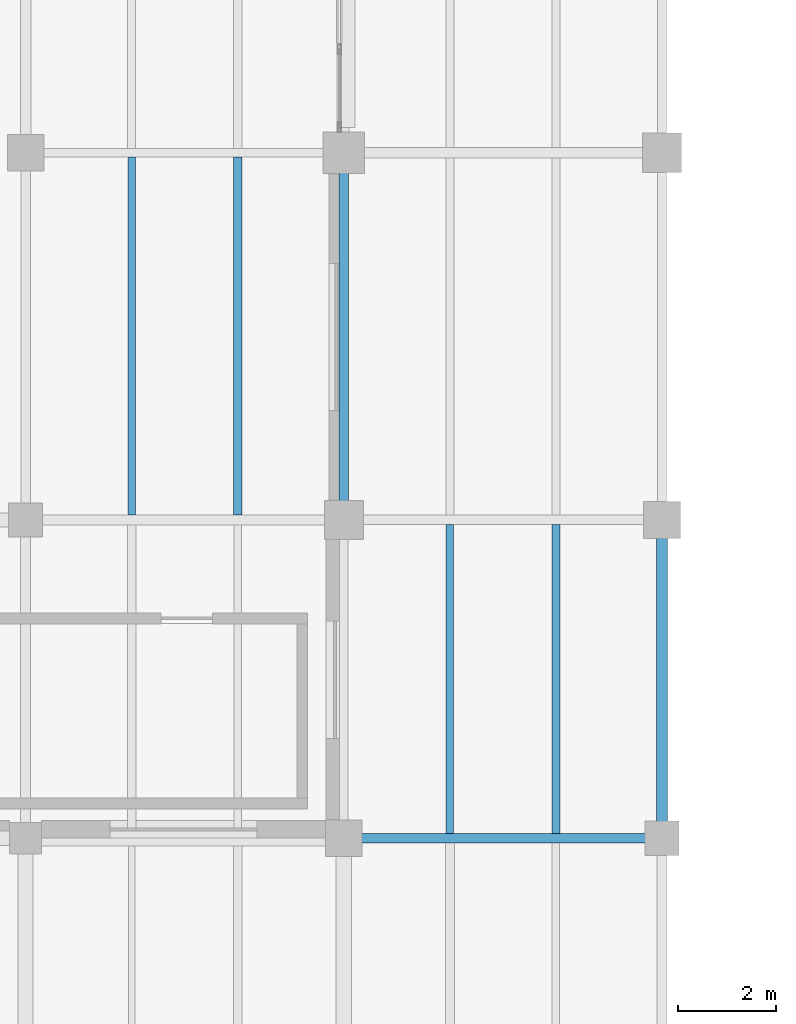
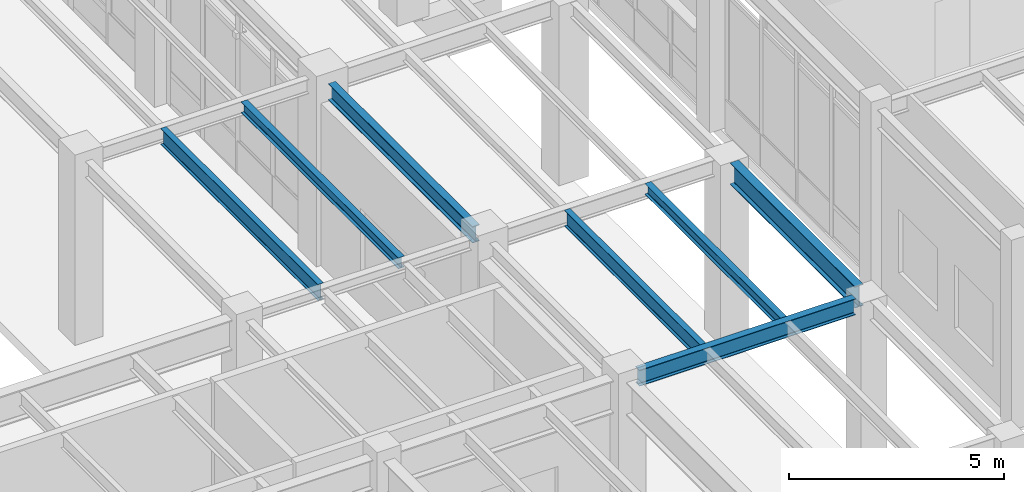
# One storey, part 104 of 203: 7 beams.
"""IFC4 building model written with IfcOpenShell, lengths in metres."""

from ifc_helpers import new_model, si_unit, direction, frame, origin, origin_2d, place, context, subcontext, project, spatial, i_section, extrude, material, material_profile, profile_set, type_object, element, save


model = new_model("IFC4")

# Units and contexts
model_context = context("Model", 3, precision=1e-05, world=origin(), true_north=direction((0.0, 1.0)))
body_context = subcontext(model_context, "Body", "Model", "MODEL_VIEW")
ifc_project = project(units=[si_unit("LENGTHUNIT", "METRE"), si_unit("AREAUNIT", "SQUARE_METRE"), si_unit("VOLUMEUNIT", "CUBIC_METRE"), si_unit("PLANEANGLEUNIT", "RADIAN"), si_unit("MASSUNIT", "GRAM", prefix="KILO"), si_unit("THERMODYNAMICTEMPERATUREUNIT", "KELVIN"), si_unit("POWERUNIT", "WATT")], contexts=[model_context])

# Site, building, storey
site_placement = place(None, origin())
site = spatial("IfcSite", under=ifc_project, at=site_placement, CompositionType="ELEMENT")
building_placement = place(site_placement, origin())
building = spatial("IfcBuilding", under=site, at=building_placement, Name="Tepalcoro Natatorium and Aquatics Centre", CompositionType="ELEMENT")
storey_placement = place(building_placement, origin())
storey = spatial("IfcBuildingStorey", under=building, at=storey_placement, Name="L00", CompositionType="ELEMENT", Elevation=0.0)

# Beams
ifc_material = material(Name="Steel ASTM A992 Grade 50 (Fy 345 MPa)", Category="steel")
ifc_material_profile_1 = material_profile(ifc_material, i_section(OverallWidth=0.19091796875, OverallDepth=0.45703125, WebThickness=0.009033203125, FlangeThickness=0.013916015625, FilletRadius=0.013916015625, at=origin_2d()), Name="W18X50")
ifc_profile_set_1 = profile_set([ifc_material_profile_1], Name="Steel ASTM A992 Grade 50 (Fy 345 MPa)")
beam_type_1 = type_object("IfcBeamType", Name="BM_W18x50", PredefinedType="BEAM", material=ifc_profile_set_1)
beam_1_placement = place(storey_placement, frame((131.860107421875, 6.5, 4.8564453125), z_axis=(1.0, 0.0, 0.0), x_axis=(0.0, 1.0, 0.0)))
element("IfcBeam", 1, at=beam_1_placement, inside=storey, type_object=beam_type_1, Name="V1 L00 Grid Girder X", PredefinedType="BEAM", context=body_context, shape_type="SweptSolid", body=[
    extrude(i_section(OverallWidth=0.19091796875, OverallDepth=0.45703125, WebThickness=0.009033203125, FlangeThickness=0.013916015625, FilletRadius=0.013916015625, at=origin_2d()), origin(), (0.0, 0.0, 1.0), 5.804931640625),
])
ifc_material_profile_2 = material_profile(ifc_material, i_section(OverallWidth=0.193115234375, OverallDepth=0.467041015625, WebThickness=0.010986328125, FlangeThickness=0.01904296875, FilletRadius=0.013916015625, at=origin_2d()), Name="W18X65")
ifc_profile_set_2 = profile_set([ifc_material_profile_2], Name="Steel ASTM A992 Grade 50 (Fy 345 MPa)")
beam_type_2 = type_object("IfcBeamType", Name="BM_W18x65", PredefinedType="BEAM", material=ifc_profile_set_2)
beam_2_placement = place(storey_placement, frame((131.5, 13.385009765625, 4.8515625), z_axis=(0.0, 1.0, 0.0), x_axis=(-1.0, 0.0, 0.0)))
element("IfcBeam", 2, at=beam_2_placement, inside=storey, type_object=beam_type_2, Name="V1 L00 Grid Girder Y", PredefinedType="BEAM", context=body_context, shape_type="SweptSolid", body=[
    extrude(i_section(OverallWidth=0.193115234375, OverallDepth=0.467041015625, WebThickness=0.010986328125, FlangeThickness=0.01904296875, FilletRadius=0.013916015625, at=origin_2d()), origin(), (0.0, 0.0, 1.0), 6.705078125),
])
ifc_material_profile_3 = material_profile(ifc_material, i_section(OverallWidth=0.1650390625, OverallDepth=0.31005859375, WebThickness=0.006103515625, FlangeThickness=0.010009765625, FilletRadius=0.013916015625, at=origin_2d()), Name="W12X26")
ifc_profile_set_3 = profile_set([ifc_material_profile_3], Name="Steel ASTM A992 Grade 50 (Fy 345 MPa)")
beam_type_3 = type_object("IfcBeamType", Name="JS_W12x26", PredefinedType="JOIST", material=ifc_profile_set_3)
beam_3_placement = place(storey_placement, frame((129.333251953125, 13.1015625, 4.969970703125), z_axis=(0.0, 1.0, 0.0), x_axis=(-1.0, 0.0, 0.0)))
element("IfcBeam", 3, at=beam_3_placement, inside=storey, type_object=beam_type_3, Name="V1 L00 Floor Joist", PredefinedType="JOIST", context=body_context, shape_type="SweptSolid", body=[
    extrude(i_section(OverallWidth=0.1650390625, OverallDepth=0.31005859375, WebThickness=0.006103515625, FlangeThickness=0.010009765625, FilletRadius=0.013916015625, at=origin_2d()), origin(), (0.0, 0.0, 1.0), 7.309326171875),
])
beam_4_placement = place(storey_placement, frame((135.833251953125, 6.595458984375, 4.929931640625), z_axis=(0.0, 1.0, 0.0), x_axis=(-1.0, 0.0, 0.0)))
element("IfcBeam", 4, at=beam_4_placement, inside=storey, type_object=beam_type_3, Name="V1 L00 Floor Joist", PredefinedType="JOIST", context=body_context, shape_type="SweptSolid", body=[
    extrude(i_section(OverallWidth=0.1650390625, OverallDepth=0.31005859375, WebThickness=0.006103515625, FlangeThickness=0.010009765625, FilletRadius=0.013916015625, at=origin_2d()), origin(), (0.0, 0.0, 1.0), 6.30810546875),
])
ifc_material_profile_4 = material_profile(ifc_material, i_section(OverallWidth=0.153076171875, OverallDepth=0.455078125, WebThickness=0.008056640625, FlangeThickness=0.012939453125, FilletRadius=0.013916015625, at=origin_2d()), Name="W18X40")
ifc_profile_set_4 = profile_set([ifc_material_profile_4], Name="Steel ASTM A992 Grade 50 (Fy 345 MPa)")
beam_type_4 = type_object("IfcBeamType", Name="JS_W18x40", PredefinedType="JOIST", material=ifc_profile_set_4)
beam_5_placement = place(storey_placement, frame((127.166748046875, 13.1015625, 4.8974609375), z_axis=(0.0, 1.0, 0.0), x_axis=(-1.0, 0.0, 0.0)))
element("IfcBeam", 5, at=beam_5_placement, inside=storey, type_object=beam_type_4, Name="V1 L00 Floor Joist", PredefinedType="JOIST", context=body_context, shape_type="SweptSolid", body=[
    extrude(i_section(OverallWidth=0.153076171875, OverallDepth=0.455078125, WebThickness=0.008056640625, FlangeThickness=0.012939453125, FilletRadius=0.013916015625, at=origin_2d()), origin(), (0.0, 0.0, 1.0), 7.309326171875),
])
beam_6_placement = place(storey_placement, frame((133.666748046875, 6.595458984375, 4.857421875), z_axis=(0.0, 1.0, 0.0), x_axis=(-1.0, 0.0, 0.0)))
element("IfcBeam", 6, at=beam_6_placement, inside=storey, type_object=beam_type_4, Name="V1 L00 Floor Joist", PredefinedType="JOIST", context=body_context, shape_type="SweptSolid", body=[
    extrude(i_section(OverallWidth=0.153076171875, OverallDepth=0.455078125, WebThickness=0.008056640625, FlangeThickness=0.012939453125, FilletRadius=0.013916015625, at=origin_2d()), origin(), (0.0, 0.0, 1.0), 6.30810546875),
])
ifc_material_profile_5 = material_profile(ifc_material, i_section(OverallWidth=0.22900390625, OverallDepth=0.612060546875, WebThickness=0.011962890625, FlangeThickness=0.02001953125, FilletRadius=0.013916015625, at=origin_2d()), Name="W24X84")
ifc_profile_set_5 = profile_set([ifc_material_profile_5], Name="Steel ASTM A992 Grade 50 (Fy 345 MPa)")
beam_type_5 = type_object("IfcBeamType", Name="SP_W24x84", PredefinedType="SPANDREL", material=ifc_profile_set_5)
beam_7_placement = place(storey_placement, frame((138.0, 6.8349609375, 4.779052734375), z_axis=(0.0, 1.0, 0.0), x_axis=(-1.0, 0.0, 0.0)))
element("IfcBeam", 7, at=beam_7_placement, inside=storey, type_object=beam_type_5, Name="V1 L00 Grid Girder Y", PredefinedType="SPANDREL", context=body_context, shape_type="SweptSolid", body=[
    extrude(i_section(OverallWidth=0.22900390625, OverallDepth=0.612060546875, WebThickness=0.011962890625, FlangeThickness=0.02001953125, FilletRadius=0.013916015625, at=origin_2d()), origin(), (0.0, 0.0, 1.0), 5.804931640625),
])

save(model, "model.ifc")
